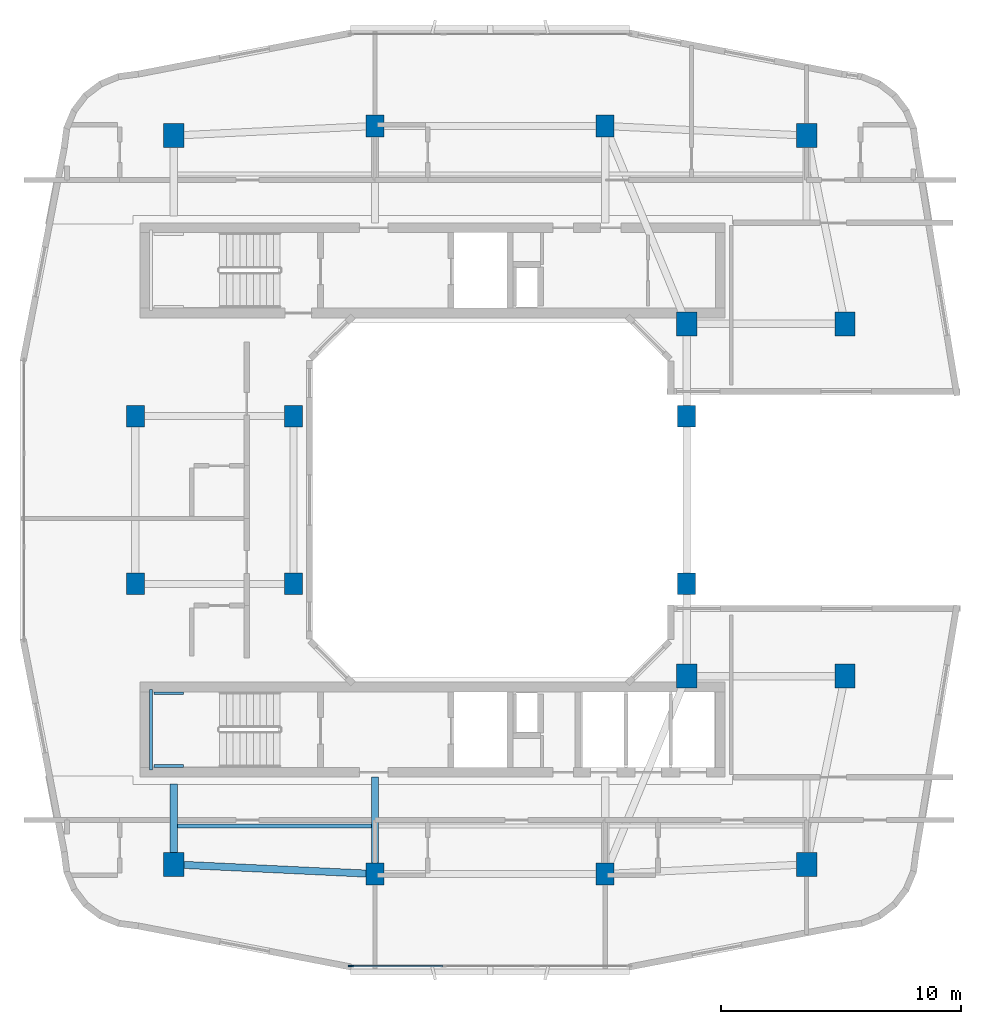
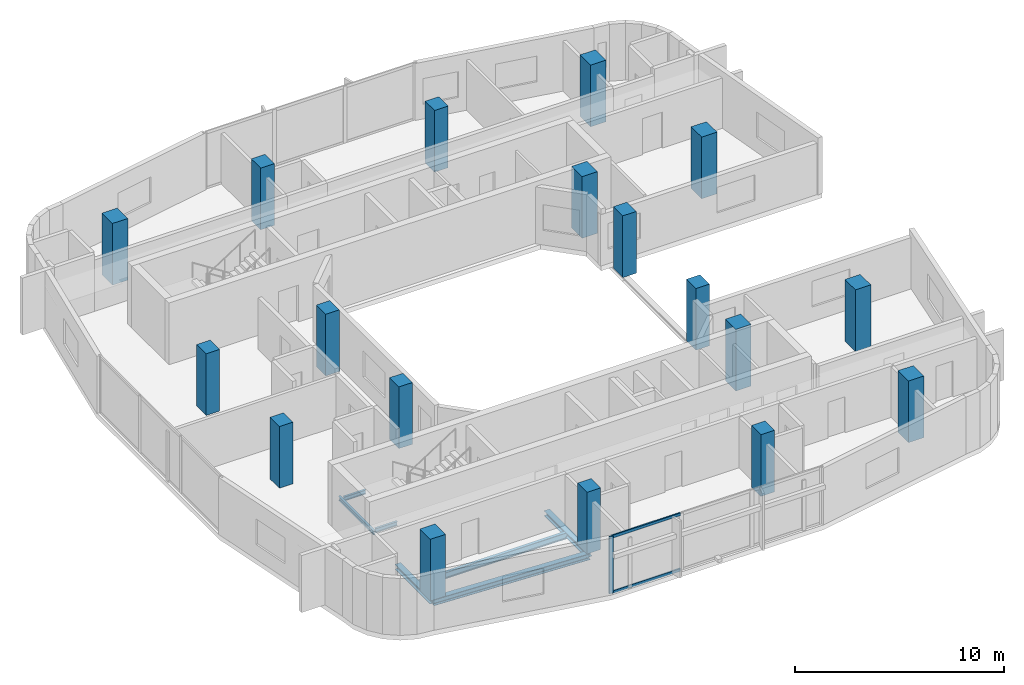
# One storey, part 1 of 12: 18 columns, 7 beams, 3 members, 1 element without a shape of its own.
"""IFC4 building model written with IfcOpenShell, lengths in metres."""

from ifc_helpers import new_model, si_unit, derived_unit, direction, frame, origin, origin_2d, place, context, subcontext, project, spatial, rectangle, i_section, extrude, material, layer, layer_set, material_profile, profile_set, type_object, element, aggregate, save


model = new_model("IFC4")

# Units and contexts
model_context = context("Model", 3, precision=1e-05, world=origin(), true_north=direction((0.0, 1.0)))
body_context = subcontext(model_context, "Body", "Model", "MODEL_VIEW")
ifc_project = project(units=[si_unit("LENGTHUNIT", "METRE"), si_unit("AREAUNIT", "SQUARE_METRE"), si_unit("VOLUMEUNIT", "CUBIC_METRE"), si_unit("PLANEANGLEUNIT", "RADIAN"), si_unit("MASSUNIT", "GRAM", prefix="KILO"), derived_unit("THERMALTRANSMITTANCEUNIT", [(si_unit("POWERUNIT", "WATT"), 1), (si_unit("LENGTHUNIT", "METRE"), -2), (si_unit("THERMODYNAMICTEMPERATUREUNIT", "KELVIN"), -1)])], contexts=[model_context])

# Site, building, storey
site_placement = place(None, origin())
site = spatial("IfcSite", under=ifc_project, at=site_placement, CompositionType="ELEMENT")
building_placement = place(site_placement, origin())
building = spatial("IfcBuilding", under=site, at=building_placement, Name="Kivonza Crest Hotel", CompositionType="ELEMENT")
storey_placement = place(building_placement, frame((0.0, 0.0, 188.300048828125)))
storey = spatial("IfcBuildingStorey", under=building, at=storey_placement, Name="L51", CompositionType="ELEMENT", Elevation=188.300048828125)

# Columns
ifc_material_1 = material(Name="Concrete C50/60", Category="concrete")
ifc_material_profile_1 = material_profile(ifc_material_1, rectangle(XDim=0.85009765625, YDim=1.0, at=origin_2d()), Name="RC 1000x850")
ifc_profile_set_1 = profile_set([ifc_material_profile_1], Name="Concrete C50/60")
column_type_1 = type_object("IfcColumnType", Name="CL-RC-1000x850", PredefinedType="COLUMN", material=ifc_profile_set_1)
for number, where, z_axis, x_axis, name in (
    (1, (7.800048828125, 9.800048828125, 0.0), (0.0, 0.0, 1.0), (1.0, 0.0, 0.0), "Tower T1 L51 column SW"),
    (2, (34.199951171875, 9.800048828125, 0.0), (0.0, 0.0, 1.0), (1.0, 0.0, 0.0), "Tower T1 L51 column SE"),
    (3, (34.199951171875, 40.199951171875, 0.0), (0.0, 0.0, 1.0), (1.0, 0.0, 0.0), "Tower T1 L51 column NE"),
    (4, (7.800048828125, 40.199951171875, 0.0), (0.0, 0.0, 1.0), (1.0, 0.0, 0.0), "Tower T1 L51 column NW"),
    (5, (35.800048828125, 17.64990234375, 0.0), (0.0, 0.0, 1.0), (1.0, 0.0, 0.0), "Tower T1 L51 column PSE"),
    (6, (35.800048828125, 32.35009765625, 0.0), (0.0, 0.0, 1.0), (1.0, 0.0, 0.0), "Tower T1 L51 column PNE"),
    (7, (29.199951171875, 17.64990234375, 0.0), (0.0, 0.0, 1.0), (1.0, 0.0, 0.0), "Tower T1 L51 column TSE"),
    (8, (29.199951171875, 32.35009765625, 0.0), (0.0, 0.0, 1.0), (1.0, 0.0, 0.0), "Tower T1 L51 column TNE"),
):
    element("IfcColumn", number, at=place(storey_placement, frame(where, z_axis=z_axis, x_axis=x_axis)), inside=storey, type_object=column_type_1, Name=name, PredefinedType="COLUMN", context=body_context, shape_type="SweptSolid", body=[
        extrude(rectangle(XDim=0.85009765625, YDim=1.0, at=origin_2d()), origin(), (0.0, 0.0, 1.0), 3.599853515625),
    ])
ifc_material_profile_2 = material_profile(ifc_material_1, rectangle(XDim=0.75, YDim=0.89990234375, at=origin_2d()), Name="RC 900x750")
ifc_profile_set_2 = profile_set([ifc_material_profile_2], Name="Concrete C50/60")
column_type_2 = type_object("IfcColumnType", Name="CL-RC-900x750", PredefinedType="COLUMN", material=ifc_profile_set_2)
for number, where, z_axis, x_axis, name in (
    (9, (16.199951171875, 9.39990234375, 0.0), (0.0, 0.0, 1.0), (1.0, 0.0, 0.0), "Tower T1 L51 column S1"),
    (10, (25.800048828125, 9.39990234375, 0.0), (0.0, 0.0, 1.0), (1.0, 0.0, 0.0), "Tower T1 L51 column S2"),
    (11, (16.199951171875, 40.60009765625, 0.0), (0.0, 0.0, 1.0), (1.0, 0.0, 0.0), "Tower T1 L51 column N1"),
    (12, (25.800048828125, 40.60009765625, 0.0), (0.0, 0.0, 1.0), (1.0, 0.0, 0.0), "Tower T1 L51 column N2"),
    (13, (6.199951171875, 21.5, 0.0), (0.0, 0.0, 1.0), (1.0, 0.0, 0.0), "Tower T1 L51 column W1"),
    (14, (6.199951171875, 28.5, 0.0), (0.0, 0.0, 1.0), (1.0, 0.0, 0.0), "Tower T1 L51 column W2"),
    (15, (12.800048828125, 21.5, 0.0), (0.0, 0.0, 1.0), (1.0, 0.0, 0.0), "Tower T1 L51 column WL1"),
    (16, (12.800048828125, 28.5, 0.0), (0.0, 0.0, 1.0), (1.0, 0.0, 0.0), "Tower T1 L51 column WL2"),
    (17, (29.199951171875, 21.5, 0.0), (0.0, 0.0, 1.0), (1.0, 0.0, 0.0), "Tower T1 L51 column WR1"),
    (18, (29.199951171875, 28.5, 0.0), (0.0, 0.0, 1.0), (1.0, 0.0, 0.0), "Tower T1 L51 column WR2"),
):
    element("IfcColumn", number, at=place(storey_placement, frame(where, z_axis=z_axis, x_axis=x_axis)), inside=storey, type_object=column_type_2, Name=name, PredefinedType="COLUMN", context=body_context, shape_type="SweptSolid", body=[
        extrude(rectangle(XDim=0.75, YDim=0.89990234375, at=origin_2d()), origin(), (0.0, 0.0, 1.0), 3.599853515625),
    ])

# Beams
ifc_material_2 = material(Name="Steel S355", Category="steel")
ifc_material_profile_3 = material_profile(ifc_material_2, i_section(OverallWidth=0.300048828125, OverallDepth=0.300048828125, WebThickness=0.010986328125, FlangeThickness=0.01904296875, FilletRadius=0.027099609375, at=origin_2d()), Name="HEB 300")
ifc_profile_set_3 = profile_set([ifc_material_profile_3], Name="Steel S355")
beam_type_1 = type_object("IfcBeamType", Name="BM-HEB300", PredefinedType="BEAM", material=ifc_profile_set_3)
beam_1_placement = place(storey_placement, frame((7.800048828125, 9.800048828125, -0.429931640625), z_axis=(0.0, 1.0, 0.0), x_axis=(-1.0, 0.0, 0.0)))
element("IfcBeam", 19, at=beam_1_placement, inside=storey, type_object=beam_type_1, Name="Tower T1 L51 radial core girder RSW", PredefinedType="BEAM", context=body_context, shape_type="SweptSolid", body=[
    extrude(i_section(OverallWidth=0.300048828125, OverallDepth=0.300048828125, WebThickness=0.010986328125, FlangeThickness=0.01904296875, FilletRadius=0.027099609375, at=origin_2d()), origin(), (0.0, 0.0, 1.0), 3.349853515625),
])
beam_2_placement = place(storey_placement, frame((16.199951171875, 9.39990234375, -0.429931640625), z_axis=(0.0, 1.0, 0.0), x_axis=(-1.0, 0.0, 0.0)))
element("IfcBeam", 20, at=beam_2_placement, inside=storey, type_object=beam_type_1, Name="Tower T1 L51 radial core girder RS1", PredefinedType="BEAM", context=body_context, shape_type="SweptSolid", body=[
    extrude(i_section(OverallWidth=0.300048828125, OverallDepth=0.300048828125, WebThickness=0.010986328125, FlangeThickness=0.01904296875, FilletRadius=0.027099609375, at=origin_2d()), origin(), (0.0, 0.0, 1.0), 4.050048828125),
])
ifc_material_profile_4 = material_profile(ifc_material_2, i_section(OverallWidth=0.300048828125, OverallDepth=0.360107421875, WebThickness=0.012451171875, FlangeThickness=0.0224609375, FilletRadius=0.027099609375, at=origin_2d()), Name="HEB 360")
ifc_profile_set_4 = profile_set([ifc_material_profile_4], Name="Steel S355")
beam_type_2 = type_object("IfcBeamType", Name="BM-HEB360", PredefinedType="SPANDREL", material=ifc_profile_set_4)
beam_3_placement = place(storey_placement, frame((7.800048828125, 9.800048828125, -0.4599609375), z_axis=(0.998867283688, -0.047583080799, 0.0), x_axis=(0.047583080799, 0.998867283688, 0.0)))
element("IfcBeam", 21, at=beam_3_placement, inside=storey, type_object=beam_type_2, Name="Tower T1 L51 perimeter spandrel SW-S1", PredefinedType="SPANDREL", context=body_context, shape_type="SweptSolid", body=[
    extrude(i_section(OverallWidth=0.300048828125, OverallDepth=0.360107421875, WebThickness=0.012451171875, FlangeThickness=0.0224609375, FilletRadius=0.027099609375, at=origin_2d()), origin(), (0.0, 0.0, 1.0), 8.409423828125),
])
ifc_material_profile_5 = material_profile(ifc_material_2, i_section(OverallWidth=0.169921875, OverallDepth=0.360107421875, WebThickness=0.008056640625, FlangeThickness=0.0126953125, FilletRadius=0.01806640625, at=origin_2d()), Name="IPE 360")
ifc_profile_set_5 = profile_set([ifc_material_profile_5], Name="Steel S355")
beam_type_3 = type_object("IfcBeamType", Name="BM-IPE360", PredefinedType="JOIST", material=ifc_profile_set_5)
beam_4_placement = place(storey_placement, frame((7.8798828125, 11.39990234375, -0.4599609375), z_axis=(1.0, 0.0, 0.0), x_axis=(0.0, 1.0, 0.0)))
element("IfcBeam", 22, at=beam_4_placement, inside=storey, type_object=beam_type_3, Name="Tower T1 L51 South-West floor joist", PredefinedType="JOIST", context=body_context, shape_type="SweptSolid", body=[
    extrude(i_section(OverallWidth=0.169921875, OverallDepth=0.360107421875, WebThickness=0.008056640625, FlangeThickness=0.0126953125, FilletRadius=0.01806640625, at=origin_2d()), origin(), (0.0, 0.0, 1.0), 8.240234375),
])
ifc_material_profile_6 = material_profile(ifc_material_2, i_section(OverallWidth=0.1201171875, OverallDepth=0.239990234375, WebThickness=0.006103515625, FlangeThickness=0.009765625, FilletRadius=0.014892578125, at=origin_2d()), Name="IPE 240")
ifc_profile_set_6 = profile_set([ifc_material_profile_6], Name="Steel S355")
beam_type_4 = type_object("IfcBeamType", Name="BM-LLDG-240", PredefinedType="BEAM", material=ifc_profile_set_6)
beam_5_placement = place(storey_placement, frame((6.860107421875, 13.739990234375, 1.47998046875), z_axis=(0.0, 1.0, 0.0), x_axis=(-1.0, 0.0, 0.0)))
element("IfcBeam", 23, at=beam_5_placement, inside=storey, type_object=beam_type_4, Name="Stair ST-T1-S L51 West landing corbel", PredefinedType="BEAM", context=body_context, shape_type="SweptSolid", body=[
    extrude(i_section(OverallWidth=0.1201171875, OverallDepth=0.239990234375, WebThickness=0.006103515625, FlangeThickness=0.009765625, FilletRadius=0.014892578125, at=origin_2d()), origin(), (0.0, 0.0, 1.0), 3.360107421875),
])
for number, where, z_axis, x_axis, name in (
    (24, (6.989990234375, 13.89990234375, 1.47998046875), (1.0, 0.0, 0.0), (0.0, 1.0, 0.0), "Stair ST-T1-S L51 South landing corbel"),
    (25, (6.989990234375, 16.93994140625, 1.47998046875), (1.0, 0.0, 0.0), (0.0, 1.0, 0.0), "Stair ST-T1-S L51 North landing corbel"),
):
    element("IfcBeam", number, at=place(storey_placement, frame(where, z_axis=z_axis, x_axis=x_axis)), inside=storey, type_object=beam_type_4, Name=name, PredefinedType="BEAM", context=body_context, shape_type="SweptSolid", body=[
        extrude(i_section(OverallWidth=0.1201171875, OverallDepth=0.239990234375, WebThickness=0.006103515625, FlangeThickness=0.009765625, FilletRadius=0.014892578125, at=origin_2d()), origin(), (0.0, 0.0, 1.0), 1.2099609375),
    ])

# Curtain wall, members
ifc_material_3 = material(Name="Anodised bronze aluminium and low-E double glazing", Category="aluminium")
ifc_layer = layer(ifc_material_3, 0.179931640625)
ifc_layer_set = layer_set([ifc_layer], Name="Anodised bronze aluminium and low-E double glazing")
curtain_wall_type = type_object("IfcCurtainWallType", Name="CW-SYS-3", PredefinedType="NOTDEFINED", material=ifc_layer_set)
curtain_wall_placement = place(storey_placement, origin())
curtain_wall = element("IfcCurtainWall", 26, at=curtain_wall_placement, inside=storey, type_object=curtain_wall_type, Name="L51 unitised curtain wall CW-T1-L51-08", PredefinedType="NOTDEFINED")
ifc_material_4 = material(Name="Anodised bronze aluminium", Category="aluminium")
ifc_material_profile_7 = material_profile(ifc_material_4, rectangle(XDim=0.074951171875, YDim=0.219970703125, at=origin_2d()), Name="CW-M 75x220")
ifc_profile_set_7 = profile_set([ifc_material_profile_7], Name="Anodised bronze aluminium")
member_type_1 = type_object("IfcMemberType", Name="CW-MUL-75x220", PredefinedType="MULLION", material=ifc_profile_set_7)
member_1_placement = place(storey_placement, frame((15.197509765625, 5.56005859375, 0.0), z_axis=(0.0, 0.0, 1.0), x_axis=(0.0, 1.0, 0.0)))
member_1 = element("IfcMember", 27, at=member_1_placement, type_object=member_type_1, Name="CW-3 mullion 1", PredefinedType="MULLION", context=body_context, shape_type="SweptSolid", body=[
    extrude(rectangle(XDim=0.074951171875, YDim=0.219970703125, at=origin_2d()), origin(), (0.0, 0.0, 1.0), 3.320068359375),
])
ifc_material_profile_8 = material_profile(ifc_material_4, rectangle(XDim=0.074951171875, YDim=0.159912109375, at=origin_2d()), Name="CW-T 75x160")
ifc_profile_set_8 = profile_set([ifc_material_profile_8], Name="Anodised bronze aluminium")
member_type_2 = type_object("IfcMemberType", Name="CW-TRN-75x160", PredefinedType="USERDEFINED", material=ifc_profile_set_8)
member_2_placement = place(storey_placement, frame((15.235107421875, 5.56005859375, 0.037353515625), z_axis=(1.0, 0.0, 0.0), x_axis=(0.0, 1.0, 0.0)))
member_2 = element("IfcMember", 28, at=member_2_placement, type_object=member_type_2, Name="CW-3 transom 1.1", ObjectType="TRANSOM", PredefinedType="USERDEFINED", context=body_context, shape_type="SweptSolid", body=[
    extrude(rectangle(XDim=0.074951171875, YDim=0.159912109375, at=origin_2d()), origin(), (0.0, 0.0, 1.0), 3.78076171875),
])
member_3_placement = place(storey_placement, frame((15.235107421875, 5.56005859375, 3.282470703125), z_axis=(1.0, 0.0, 0.0), x_axis=(0.0, 1.0, 0.0)))
member_3 = element("IfcMember", 29, at=member_3_placement, type_object=member_type_2, Name="CW-3 transom 1.2", ObjectType="TRANSOM", PredefinedType="USERDEFINED", context=body_context, shape_type="SweptSolid", body=[
    extrude(rectangle(XDim=0.074951171875, YDim=0.159912109375, at=origin_2d()), origin(), (0.0, 0.0, 1.0), 3.78076171875),
])
aggregate(curtain_wall, [member_1, member_2, member_3])

save(model, "model.ifc")
